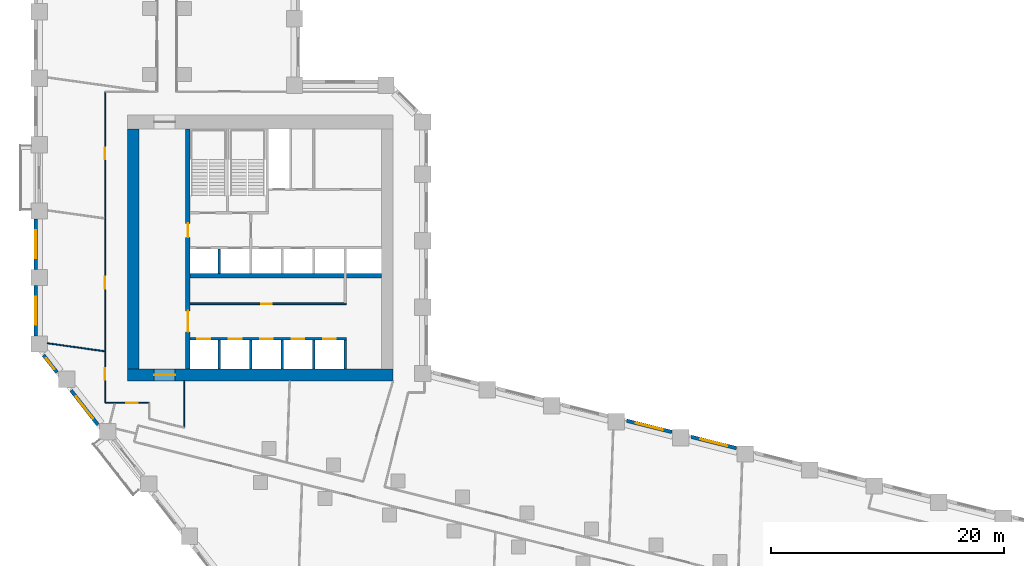
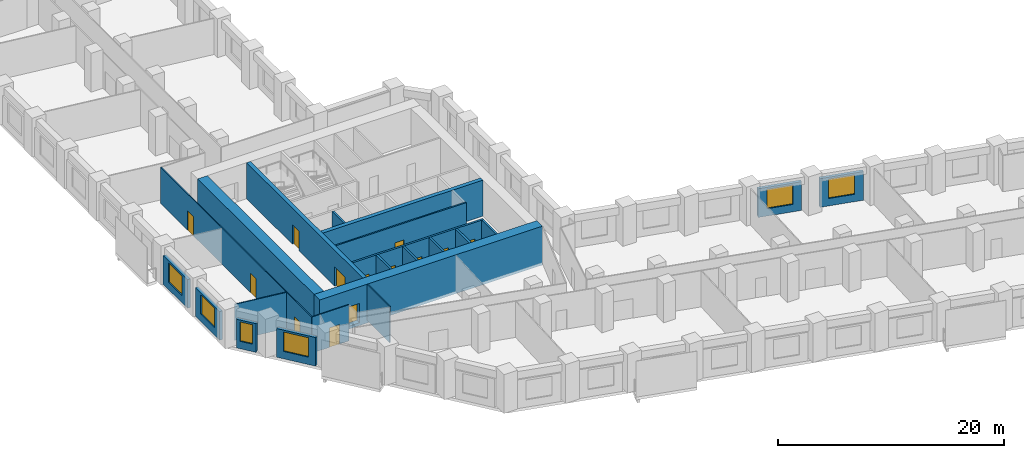
# One storey, part 4 of 11: 22 walls, 13 doors, 6 windows, 19 openings.
"""IFC4 building model written with IfcOpenShell, lengths in metres."""

from ifc_helpers import new_model, si_unit, direction, frame, frame_2d, origin, place, context, subcontext, project, spatial, rectangle, extrude, material, layer, layer_set, type_object, element, fill, save


model = new_model("IFC4")

# Units and contexts
model_context = context("Model", 3, precision=1e-05, world=origin(), true_north=direction((0.0, 1.0)))
body_context = subcontext(model_context, "Body", "Model", "MODEL_VIEW")
ifc_project = project(units=[si_unit("LENGTHUNIT", "METRE"), si_unit("AREAUNIT", "SQUARE_METRE"), si_unit("VOLUMEUNIT", "CUBIC_METRE"), si_unit("PLANEANGLEUNIT", "RADIAN"), si_unit("MASSUNIT", "GRAM", prefix="KILO")], contexts=[model_context])

# Site, building, storey
site_placement = place(None, origin())
site = spatial("IfcSite", under=ifc_project, at=site_placement, CompositionType="ELEMENT")
building_placement = place(site_placement, origin())
building = spatial("IfcBuilding", under=site, at=building_placement, Name="Meshkara Civic Tower", CompositionType="ELEMENT")
storey_placement = place(building_placement, frame((0.0, 0.0, 79.199951171875)))
storey = spatial("IfcBuildingStorey", under=building, at=storey_placement, Name="L17", CompositionType="ELEMENT", Elevation=79.199951171875)

# Wall, opening, door
ifc_material_1 = material(Name="Blockwork", Category="masonry")
ifc_layer_1 = layer(ifc_material_1, 0.14990234375)
ifc_layer_set_1 = layer_set([ifc_layer_1], Name="Core partition 150")
wall_type_1 = type_object("IfcWallType", Name="Core partition 150", PredefinedType="PARTITIONING", material=ifc_layer_set_1)
wall_1_placement = place(storey_placement, frame((13.39990234375, 20.699951171875, 0.0), z_axis=(0.0, 0.0, 1.0), x_axis=(1.0, 0.0, 0.0)))
wall_1 = element("IfcWall", 1, at=wall_1_placement, inside=storey, type_object=wall_type_1, Name="L17-C006", PredefinedType="PARTITIONING", context=body_context, shape_type="SweptSolid", body=[
    extrude(rectangle(XDim=13.400146484375, YDim=0.14990234375, at=frame_2d((6.7001953125, 0.0))), origin(), (0.0, 0.0, 1.0), 3.900146484375),
])
opening_1_placement = place(wall_1_placement, frame((6.10009765625, 0.0, 0.0)))
opening_1 = element("IfcOpeningElement", 2, at=opening_1_placement, cuts=wall_1, Name="Opening L17-K010", PredefinedType="OPENING", context=body_context, shape_type="SweptSolid", body=[
    extrude(rectangle(XDim=0.89990234375, YDim=2.10009765625, at=frame_2d((0.449951171875, 1.050048828125))), frame((0.0, 0.0849609375, 0.0), z_axis=(0.0, -1.0, 0.0), x_axis=(1.0, 0.0, 0.0)), (0.0, 0.0, 1.0), 0.169921875),
])
ifc_material_2 = material(Name="Timber door leaf in steel frame", Category="steel")
door_type_1 = type_object("IfcDoorType", Name="Core room door 900", OperationType="SINGLE_SWING_LEFT", PredefinedType="DOOR", material=ifc_material_2)
door_1_placement = place(opening_1_placement, origin())
door_1 = element("IfcDoor", 3, at=door_1_placement, inside=storey, type_object=door_type_1, Name="L17-K010", OperationType="SINGLE_SWING_RIGHT", OverallHeight=2.10009765625, OverallWidth=0.89990234375, PredefinedType="DOOR", context=body_context, shape_type="SweptSolid", body=[
    extrude(rectangle(XDim=0.89990234375, YDim=2.10009765625, at=frame_2d((0.449951171875, 1.050048828125))), frame((0.0, 0.02490234375, 0.0), z_axis=(0.0, -1.0, 0.0), x_axis=(1.0, 0.0, 0.0)), (0.0, 0.0, 1.0), 0.050048828125),
])
fill(opening_1, door_1)

ifc_material_3 = material(Name="Concrete C80", Category="concrete")
ifc_layer_2 = layer(ifc_material_3, 1.0)
ifc_layer_set_2 = layer_set([ifc_layer_2], Name="Core ring wall 1000 C80")
wall_type_2 = type_object("IfcWallType", Name="Core ring wall 1000 C80", PredefinedType="SHEAR", material=ifc_layer_set_2)
wall_2_placement = place(storey_placement, frame((8.0, 14.60009765625, -0.300048828125), z_axis=(0.0, 0.0, 1.0), x_axis=(1.0, 0.0, 0.0)))
wall_2 = element("IfcWall", 4, at=wall_2_placement, inside=storey, type_object=wall_type_2, Name="L17-C001", PredefinedType="SHEAR", context=body_context, shape_type="SweptSolid", body=[
    extrude(rectangle(XDim=22.800048828125, YDim=1.0, at=frame_2d((11.39990234375, 0.0))), origin(), (0.0, 0.0, 1.0), 4.2001953125),
])
opening_2_placement = place(wall_2_placement, frame((2.300048828125, 0.0, 0.300048828125)))
opening_2 = element("IfcOpeningElement", 5, at=opening_2_placement, cuts=wall_2, Name="Opening L17-K020", PredefinedType="OPENING", context=body_context, shape_type="SweptSolid", body=[
    extrude(rectangle(XDim=1.800048828125, YDim=2.10009765625, at=frame_2d((0.89990234375, 1.050048828125))), frame((0.0, 0.510009765625, 0.0), z_axis=(0.0, -1.0, 0.0), x_axis=(1.0, 0.0, 0.0)), (0.0, 0.0, 1.0), 1.02001953125),
])
ifc_material_4 = material(Name="Fire-rated door leaf in steel frame", Category="steel")
door_type_2 = type_object("IfcDoorType", Name="Core double door 1800 EI 60", OperationType="DOUBLE_DOOR_SINGLE_SWING", PredefinedType="DOOR", material=ifc_material_4)
door_2_placement = place(opening_2_placement, origin())
door_2 = element("IfcDoor", 6, at=door_2_placement, inside=storey, type_object=door_type_2, Name="L17-K020", OperationType="DOUBLE_DOOR_SINGLE_SWING", OverallHeight=2.10009765625, OverallWidth=1.800048828125, PredefinedType="DOOR", context=body_context, shape_type="SweptSolid", body=[
    extrude(rectangle(XDim=1.800048828125, YDim=2.10009765625, at=frame_2d((0.89990234375, 1.050048828125))), frame((0.0, 0.02490234375, 0.0), z_axis=(0.0, -1.0, 0.0), x_axis=(1.0, 0.0, 0.0)), (0.0, 0.0, 1.0), 0.050048828125),
])
fill(opening_2, door_2)

# Walls
wall_3_placement = place(storey_placement, frame((8.5, 15.10009765625, -0.300048828125), z_axis=(0.0, 0.0, 1.0), x_axis=(0.0, 1.0, 0.0)))
element("IfcWall", 7, at=wall_3_placement, inside=storey, type_object=wall_type_2, Name="L17-C003", PredefinedType="SHEAR", context=body_context, shape_type="SweptSolid", body=[
    extrude(rectangle(XDim=20.599853515625, YDim=1.0, at=frame_2d((10.2998046875, 0.0))), origin(), (0.0, 0.0, 1.0), 4.2001953125),
])
ifc_material_5 = material(Name="Concrete C80", Category="concrete")
ifc_layer_3 = layer(ifc_material_5, 0.39990234375)
ifc_layer_set_3 = layer_set([ifc_layer_3], Name="Core shear wall 400 C80")
wall_type_3 = type_object("IfcWallType", Name="Core shear wall 400 C80", PredefinedType="SHEAR", material=ifc_layer_set_3)
wall_4_placement = place(storey_placement, frame((13.39990234375, 23.10009765625, 0.0), z_axis=(0.0, 0.0, 1.0), x_axis=(1.0, 0.0, 0.0)))
element("IfcWall", 8, at=wall_4_placement, inside=storey, type_object=wall_type_3, Name="L17-C007", PredefinedType="SHEAR", context=body_context, shape_type="SweptSolid", body=[
    extrude(rectangle(XDim=16.400146484375, YDim=0.39990234375, at=frame_2d((8.2001953125, 0.0))), origin(), (0.0, 0.0, 1.0), 3.900146484375),
])

# Wall, openings, doors
wall_5_placement = place(storey_placement, frame((13.199951171875, 15.10009765625, 0.0), z_axis=(0.0, 0.0, 1.0), x_axis=(0.0, 1.0, 0.0)))
wall_5 = element("IfcWall", 9, at=wall_5_placement, inside=storey, type_object=wall_type_3, Name="L17-C011", PredefinedType="SHEAR", context=body_context, shape_type="SweptSolid", body=[
    extrude(rectangle(XDim=20.599853515625, YDim=0.39990234375, at=frame_2d((10.2998046875, 0.0))), origin(), (0.0, 0.0, 1.0), 3.900146484375),
])
opening_3_placement = place(wall_5_placement, frame((3.199951171875, 0.0, 0.0)))
opening_3 = element("IfcOpeningElement", 10, at=opening_3_placement, cuts=wall_5, Name="Opening L17-K016", PredefinedType="OPENING", context=body_context, shape_type="SweptSolid", body=[
    extrude(rectangle(XDim=1.800048828125, YDim=2.10009765625, at=frame_2d((0.89990234375, 1.050048828125))), frame((0.0, 0.2099609375, 0.0), z_axis=(0.0, -1.0, 0.0), x_axis=(1.0, 0.0, 0.0)), (0.0, 0.0, 1.0), 0.419921875),
])
opening_4_placement = place(wall_5_placement, frame((11.300048828125, 0.0, 0.0)))
opening_4 = element("IfcOpeningElement", 11, at=opening_4_placement, cuts=wall_5, Name="Opening L17-K017", PredefinedType="OPENING", context=body_context, shape_type="SweptSolid", body=[
    extrude(rectangle(XDim=1.199951171875, YDim=2.10009765625, at=frame_2d((0.60009765625, 1.050048828125))), frame((0.0, 0.2099609375, 0.0), z_axis=(0.0, -1.0, 0.0), x_axis=(1.0, 0.0, 0.0)), (0.0, 0.0, 1.0), 0.419921875),
])
door_3_placement = place(opening_3_placement, origin())
door_3 = element("IfcDoor", 12, at=door_3_placement, inside=storey, type_object=door_type_2, Name="L17-K016", OperationType="DOUBLE_DOOR_SINGLE_SWING", OverallHeight=2.10009765625, OverallWidth=1.800048828125, PredefinedType="DOOR", context=body_context, shape_type="SweptSolid", body=[
    extrude(rectangle(XDim=1.800048828125, YDim=2.10009765625, at=frame_2d((0.89990234375, 1.050048828125))), frame((0.0, 0.02490234375, 0.0), z_axis=(0.0, -1.0, 0.0), x_axis=(1.0, 0.0, 0.0)), (0.0, 0.0, 1.0), 0.050048828125),
])
fill(opening_3, door_3)
ifc_material_6 = material(Name="Fire-rated door leaf in steel frame", Category="steel")
door_type_3 = type_object("IfcDoorType", Name="Fire-fighting lobby door 1200 EI 120", OperationType="SINGLE_SWING_LEFT", PredefinedType="DOOR", material=ifc_material_6)
door_4_placement = place(opening_4_placement, origin())
door_4 = element("IfcDoor", 13, at=door_4_placement, inside=storey, type_object=door_type_3, Name="L17-K017", OperationType="SINGLE_SWING_LEFT", OverallHeight=2.10009765625, OverallWidth=1.199951171875, PredefinedType="DOOR", context=body_context, shape_type="SweptSolid", body=[
    extrude(rectangle(XDim=1.199951171875, YDim=2.10009765625, at=frame_2d((0.60009765625, 1.050048828125))), frame((0.0, 0.02490234375, 0.0), z_axis=(0.0, -1.0, 0.0), x_axis=(1.0, 0.0, 0.0)), (0.0, 0.0, 1.0), 0.050048828125),
])
fill(opening_4, door_4)

ifc_material_7 = material(Name="Corridor wall 100")
ifc_layer_4 = layer(ifc_material_7, 0.10009765625)
ifc_layer_set_4 = layer_set([ifc_layer_4], Name="Corridor wall 100")
wall_type_4 = type_object("IfcWallType", Name="Corridor wall 100", PredefinedType="PARTITIONING", material=ifc_layer_set_4)
wall_6_placement = place(storey_placement, frame((6.10009765625, 12.199951171875, 0.0), z_axis=(0.0, 0.0, 1.0), x_axis=(0.0, 1.0, 0.0)))
wall_6 = element("IfcWall", 14, at=wall_6_placement, inside=storey, type_object=wall_type_4, Name="L17-W004", PredefinedType="PARTITIONING", context=body_context, shape_type="SweptSolid", body=[
    extrude(rectangle(XDim=26.699951171875, YDim=0.10009765625, at=frame_2d((13.35009765625, 0.0))), origin(), (0.0, 0.0, 1.0), 3.900146484375),
])
opening_5_placement = place(wall_6_placement, frame((1.97998046875, 0.0, 0.0)))
opening_5 = element("IfcOpeningElement", 15, at=opening_5_placement, cuts=wall_6, Name="Opening L17-D016", PredefinedType="OPENING", context=body_context, shape_type="SweptSolid", body=[
    extrude(rectangle(XDim=1.0, YDim=2.10009765625, at=frame_2d((0.5, 1.050048828125))), frame((0.0, 0.06005859375, 0.0), z_axis=(0.0, -1.0, 0.0), x_axis=(1.0, 0.0, 0.0)), (0.0, 0.0, 1.0), 0.1201171875),
])
opening_6_placement = place(wall_6_placement, frame((9.802978515625, 0.0, 0.0)))
opening_6 = element("IfcOpeningElement", 16, at=opening_6_placement, cuts=wall_6, Name="Opening L17-D018", PredefinedType="OPENING", context=body_context, shape_type="SweptSolid", body=[
    extrude(rectangle(XDim=1.0, YDim=2.10009765625, at=frame_2d((0.5, 1.050048828125))), frame((0.0, 0.06005859375, 0.0), z_axis=(0.0, -1.0, 0.0), x_axis=(1.0, 0.0, 0.0)), (0.0, 0.0, 1.0), 0.1201171875),
])
opening_7_placement = place(wall_6_placement, frame((20.903076171875, 0.0, 0.0)))
opening_7 = element("IfcOpeningElement", 17, at=opening_7_placement, cuts=wall_6, Name="Opening L17-D019", PredefinedType="OPENING", context=body_context, shape_type="SweptSolid", body=[
    extrude(rectangle(XDim=1.0, YDim=2.10009765625, at=frame_2d((0.5, 1.050048828125))), frame((0.0, 0.06005859375, 0.0), z_axis=(0.0, -1.0, 0.0), x_axis=(1.0, 0.0, 0.0)), (0.0, 0.0, 1.0), 0.1201171875),
])
ifc_material_8 = material(Name="Door 1000 x 2100")
door_type_4 = type_object("IfcDoorType", Name="Door 1000 x 2100", OperationType="SINGLE_SWING_LEFT", PredefinedType="DOOR", material=ifc_material_8)
door_5_placement = place(opening_5_placement, origin())
door_5 = element("IfcDoor", 18, at=door_5_placement, inside=storey, type_object=door_type_4, Name="L17-D016", OperationType="SINGLE_SWING_RIGHT", OverallHeight=2.10009765625, OverallWidth=1.0, PredefinedType="DOOR", context=body_context, shape_type="SweptSolid", body=[
    extrude(rectangle(XDim=1.0, YDim=2.10009765625, at=frame_2d((0.5, 1.050048828125))), frame((0.0, 0.02490234375, 0.0), z_axis=(0.0, -1.0, 0.0), x_axis=(1.0, 0.0, 0.0)), (0.0, 0.0, 1.0), 0.050048828125),
])
fill(opening_5, door_5)
door_6_placement = place(opening_6_placement, origin())
door_6 = element("IfcDoor", 19, at=door_6_placement, inside=storey, type_object=door_type_4, Name="L17-D018", OperationType="SINGLE_SWING_RIGHT", OverallHeight=2.10009765625, OverallWidth=1.0, PredefinedType="DOOR", context=body_context, shape_type="SweptSolid", body=[
    extrude(rectangle(XDim=1.0, YDim=2.10009765625, at=frame_2d((0.5, 1.050048828125))), frame((0.0, 0.02490234375, 0.0), z_axis=(0.0, -1.0, 0.0), x_axis=(1.0, 0.0, 0.0)), (0.0, 0.0, 1.0), 0.050048828125),
])
fill(opening_6, door_6)
door_7_placement = place(opening_7_placement, origin())
door_7 = element("IfcDoor", 20, at=door_7_placement, inside=storey, type_object=door_type_4, Name="L17-D019", OperationType="SINGLE_SWING_RIGHT", OverallHeight=2.10009765625, OverallWidth=1.0, PredefinedType="DOOR", context=body_context, shape_type="SweptSolid", body=[
    extrude(rectangle(XDim=1.0, YDim=2.10009765625, at=frame_2d((0.5, 1.050048828125))), frame((0.0, 0.02490234375, 0.0), z_axis=(0.0, -1.0, 0.0), x_axis=(1.0, 0.0, 0.0)), (0.0, 0.0, 1.0), 0.050048828125),
])
fill(opening_7, door_7)

# Wall, opening, door
wall_7_placement = place(storey_placement, frame((6.10009765625, 12.199951171875, 0.0), z_axis=(0.0, 0.0, 1.0), x_axis=(1.0, 0.0, 0.0)))
wall_7 = element("IfcWall", 21, at=wall_7_placement, inside=storey, type_object=wall_type_4, Name="L17-W005", PredefinedType="PARTITIONING", context=body_context, shape_type="SweptSolid", body=[
    extrude(rectangle(XDim=3.7998046875, YDim=0.10009765625, at=frame_2d((1.89990234375, 0.0))), origin(), (0.0, 0.0, 1.0), 3.900146484375),
])
opening_8_placement = place(wall_7_placement, frame((1.802001953125, 0.0, 0.0)))
opening_8 = element("IfcOpeningElement", 22, at=opening_8_placement, cuts=wall_7, Name="Opening L17-D017", PredefinedType="OPENING", context=body_context, shape_type="SweptSolid", body=[
    extrude(rectangle(XDim=1.0, YDim=2.10009765625, at=frame_2d((0.5, 1.050048828125))), frame((0.0, 0.06005859375, 0.0), z_axis=(0.0, -1.0, 0.0), x_axis=(1.0, 0.0, 0.0)), (0.0, 0.0, 1.0), 0.1201171875),
])
door_8_placement = place(opening_8_placement, origin())
door_8 = element("IfcDoor", 23, at=door_8_placement, inside=storey, type_object=door_type_4, Name="L17-D017", OperationType="SINGLE_SWING_RIGHT", OverallHeight=2.10009765625, OverallWidth=1.0, PredefinedType="DOOR", context=body_context, shape_type="SweptSolid", body=[
    extrude(rectangle(XDim=1.0, YDim=2.10009765625, at=frame_2d((0.5, 1.050048828125))), frame((0.0, 0.02490234375, 0.0), z_axis=(0.0, -1.0, 0.0), x_axis=(1.0, 0.0, 0.0)), (0.0, 0.0, 1.0), 0.050048828125),
])
fill(opening_8, door_8)

# Wall
wall_8_placement = place(storey_placement, frame((12.89990234375, 10.077880859375, 0.0), z_axis=(0.0, 0.0, 1.0), x_axis=(0.0, 1.0, 0.0)))
element("IfcWall", 24, at=wall_8_placement, inside=storey, type_object=wall_type_4, Name="L17-W014", PredefinedType="PARTITIONING", context=body_context, shape_type="SweptSolid", body=[
    extrude(rectangle(XDim=4.022216796875, YDim=0.10009765625, at=frame_2d((2.01123046875, 0.0))), origin(), (0.0, 0.0, 1.0), 3.900146484375),
])

# Wall, opening, window
ifc_material_9 = material(Name="Insulated infill panel with bronze anodised aluminium cladding", Category="aluminium")
ifc_layer_5 = layer(ifc_material_9, 0.300048828125)
ifc_layer_set_5 = layer_set([ifc_layer_5], Name="EXTERNAL INFILL WALL 300")
wall_type_5 = type_object("IfcWallType", Name="EXTERNAL INFILL WALL 300", PredefinedType="SOLIDWALL", material=ifc_layer_set_5)
wall_9_placement = place(storey_placement, frame((60.251953125, 8.321044921875, 0.0), z_axis=(0.0, 0.0, 1.0), x_axis=(-0.970303772127, 0.241889623168, 0.0)))
wall_9 = element("IfcWall", 25, at=wall_9_placement, inside=storey, type_object=wall_type_5, Name="External wall", PredefinedType="SOLIDWALL", context=body_context, shape_type="SweptSolid", body=[
    extrude(rectangle(XDim=4.001953125, YDim=0.300048828125, at=frame_2d((2.0009765625, 0.0))), origin(), (0.0, 0.0, 1.0), 3.10009765625),
])
opening_9_placement = place(wall_9_placement, frame((0.801025390625, 0.0, 0.800048828125)))
opening_9 = element("IfcOpeningElement", 26, at=opening_9_placement, cuts=wall_9, Name="Opening W7", PredefinedType="OPENING", context=body_context, shape_type="SweptSolid", body=[
    extrude(rectangle(XDim=2.39990234375, YDim=2.10009765625, at=frame_2d((1.199951171875, 1.050048828125))), frame((0.0, 0.159912109375, 0.0), z_axis=(0.0, -1.0, 0.0), x_axis=(1.0, 0.0, 0.0)), (0.0, 0.0, 1.0), 0.320068359375),
])
ifc_material_10 = material(Name="Tinted double glazing", Category="glass")
window_type_1 = type_object("IfcWindowType", Name="WINDOW 2400x2100", PartitioningType="DOUBLE_PANEL_VERTICAL", PredefinedType="WINDOW", material=ifc_material_10)
window_1_placement = place(opening_9_placement, origin())
window_1 = element("IfcWindow", 27, at=window_1_placement, inside=storey, type_object=window_type_1, Name="Window", OverallHeight=2.10009765625, OverallWidth=2.39990234375, PartitioningType="DOUBLE_PANEL_VERTICAL", PredefinedType="WINDOW", context=body_context, shape_type="SweptSolid", body=[
    extrude(rectangle(XDim=2.39990234375, YDim=2.10009765625, at=frame_2d((1.199951171875, 1.050048828125))), frame((0.0, 0.030029296875, 0.0), z_axis=(0.0, -1.0, 0.0), x_axis=(1.0, 0.0, 0.0)), (0.0, 0.0, 1.0), 0.06005859375),
])
fill(opening_9, window_1)

wall_10_placement = place(storey_placement, frame((54.721923828125, 9.699951171875, 0.0), z_axis=(0.0, 0.0, 1.0), x_axis=(-0.970318045095, 0.24183236211, 0.0)))
wall_10 = element("IfcWall", 28, at=wall_10_placement, inside=storey, type_object=wall_type_5, Name="External wall", PredefinedType="SOLIDWALL", context=body_context, shape_type="SweptSolid", body=[
    extrude(rectangle(XDim=4.0029296875, YDim=0.300048828125, at=frame_2d((2.00146484375, 0.0))), origin(), (0.0, 0.0, 1.0), 3.10009765625),
])
opening_10_placement = place(wall_10_placement, frame((0.802001953125, 0.0, 0.800048828125)))
opening_10 = element("IfcOpeningElement", 29, at=opening_10_placement, cuts=wall_10, Name="Opening W7", PredefinedType="OPENING", context=body_context, shape_type="SweptSolid", body=[
    extrude(rectangle(XDim=2.39990234375, YDim=2.10009765625, at=frame_2d((1.199951171875, 1.050048828125))), frame((0.0, 0.159912109375, 0.0), z_axis=(0.0, -1.0, 0.0), x_axis=(1.0, 0.0, 0.0)), (0.0, 0.0, 1.0), 0.320068359375),
])
window_2_placement = place(opening_10_placement, origin())
window_2 = element("IfcWindow", 30, at=window_2_placement, inside=storey, type_object=window_type_1, Name="Window", OverallHeight=2.10009765625, OverallWidth=2.39990234375, PartitioningType="DOUBLE_PANEL_VERTICAL", PredefinedType="WINDOW", context=body_context, shape_type="SweptSolid", body=[
    extrude(rectangle(XDim=2.39990234375, YDim=2.10009765625, at=frame_2d((1.199951171875, 1.050048828125))), frame((0.0, 0.030029296875, 0.0), z_axis=(0.0, -1.0, 0.0), x_axis=(1.0, 0.0, 0.0)), (0.0, 0.0, 1.0), 0.06005859375),
])
fill(opening_10, window_2)

wall_11_placement = place(storey_placement, frame((0.14990234375, 27.955078125, 0.0), z_axis=(0.0, 0.0, 1.0), x_axis=(0.0, -1.0, 0.0)))
wall_11 = element("IfcWall", 31, at=wall_11_placement, inside=storey, type_object=wall_type_5, Name="External wall", PredefinedType="SOLIDWALL", context=body_context, shape_type="SweptSolid", body=[
    extrude(rectangle(XDim=4.300048828125, YDim=0.300048828125, at=frame_2d((2.14990234375, 0.0))), origin(), (0.0, 0.0, 1.0), 3.10009765625),
])
opening_11_placement = place(wall_11_placement, frame((0.949951171875, 0.0, 0.800048828125)))
opening_11 = element("IfcOpeningElement", 32, at=opening_11_placement, cuts=wall_11, Name="Opening W7", PredefinedType="OPENING", context=body_context, shape_type="SweptSolid", body=[
    extrude(rectangle(XDim=2.39990234375, YDim=2.10009765625, at=frame_2d((1.199951171875, 1.050048828125))), frame((0.0, 0.159912109375, 0.0), z_axis=(0.0, -1.0, 0.0), x_axis=(1.0, 0.0, 0.0)), (0.0, 0.0, 1.0), 0.320068359375),
])
window_3_placement = place(opening_11_placement, origin())
window_3 = element("IfcWindow", 33, at=window_3_placement, inside=storey, type_object=window_type_1, Name="Window", OverallHeight=2.10009765625, OverallWidth=2.39990234375, PartitioningType="DOUBLE_PANEL_VERTICAL", PredefinedType="WINDOW", context=body_context, shape_type="SweptSolid", body=[
    extrude(rectangle(XDim=2.39990234375, YDim=2.10009765625, at=frame_2d((1.199951171875, 1.050048828125))), frame((0.0, 0.030029296875, 0.0), z_axis=(0.0, -1.0, 0.0), x_axis=(1.0, 0.0, 0.0)), (0.0, 0.0, 1.0), 0.06005859375),
])
fill(opening_11, window_3)

wall_12_placement = place(storey_placement, frame((0.14990234375, 22.2548828125, 0.0), z_axis=(0.0, 0.0, 1.0), x_axis=(0.0, -1.0, 0.0)))
wall_12 = element("IfcWall", 34, at=wall_12_placement, inside=storey, type_object=wall_type_5, Name="External wall", PredefinedType="SOLIDWALL", context=body_context, shape_type="SweptSolid", body=[
    extrude(rectangle(XDim=4.2998046875, YDim=0.300048828125, at=frame_2d((2.14990234375, 0.0))), origin(), (0.0, 0.0, 1.0), 3.10009765625),
])
opening_12_placement = place(wall_12_placement, frame((0.949951171875, 0.0, 0.800048828125)))
opening_12 = element("IfcOpeningElement", 35, at=opening_12_placement, cuts=wall_12, Name="Opening W7", PredefinedType="OPENING", context=body_context, shape_type="SweptSolid", body=[
    extrude(rectangle(XDim=2.39990234375, YDim=2.10009765625, at=frame_2d((1.199951171875, 1.050048828125))), frame((0.0, 0.159912109375, 0.0), z_axis=(0.0, -1.0, 0.0), x_axis=(1.0, 0.0, 0.0)), (0.0, 0.0, 1.0), 0.320068359375),
])
window_4_placement = place(opening_12_placement, origin())
window_4 = element("IfcWindow", 36, at=window_4_placement, inside=storey, type_object=window_type_1, Name="Window", OverallHeight=2.10009765625, OverallWidth=2.39990234375, PartitioningType="DOUBLE_PANEL_VERTICAL", PredefinedType="WINDOW", context=body_context, shape_type="SweptSolid", body=[
    extrude(rectangle(XDim=2.39990234375, YDim=2.10009765625, at=frame_2d((1.199951171875, 1.050048828125))), frame((0.0, 0.030029296875, 0.0), z_axis=(0.0, -1.0, 0.0), x_axis=(1.0, 0.0, 0.0)), (0.0, 0.0, 1.0), 0.06005859375),
])
fill(opening_12, window_4)

wall_13_placement = place(storey_placement, frame((0.818115234375, 16.2958984375, 0.0), z_axis=(0.0, 0.0, 1.0), x_axis=(0.615985155343, -0.787757759973, 0.0)))
wall_13 = element("IfcWall", 37, at=wall_13_placement, inside=storey, type_object=wall_type_5, Name="External wall", PredefinedType="SOLIDWALL", context=body_context, shape_type="SweptSolid", body=[
    extrude(rectangle(XDim=1.874755859375, YDim=0.300048828125, at=frame_2d((0.9375, 0.0))), origin(), (0.0, 0.0, 1.0), 3.10009765625),
])
opening_13_placement = place(wall_13_placement, frame((0.3369140625, 0.0, 0.800048828125)))
opening_13 = element("IfcOpeningElement", 38, at=opening_13_placement, cuts=wall_13, Name="Opening W3", PredefinedType="OPENING", context=body_context, shape_type="SweptSolid", body=[
    extrude(rectangle(XDim=1.199951171875, YDim=2.10009765625, at=frame_2d((0.60009765625, 1.050048828125))), frame((0.0, 0.159912109375, 0.0), z_axis=(0.0, -1.0, 0.0), x_axis=(1.0, 0.0, 0.0)), (0.0, 0.0, 1.0), 0.320068359375),
])
ifc_material_11 = material(Name="Tinted double glazing", Category="glass")
window_type_2 = type_object("IfcWindowType", Name="WINDOW 1200x2100", PartitioningType="SINGLE_PANEL", PredefinedType="WINDOW", material=ifc_material_11)
window_5_placement = place(opening_13_placement, origin())
window_5 = element("IfcWindow", 39, at=window_5_placement, inside=storey, type_object=window_type_2, Name="Window", OverallHeight=2.10009765625, OverallWidth=1.199951171875, PartitioningType="SINGLE_PANEL", PredefinedType="WINDOW", context=body_context, shape_type="SweptSolid", body=[
    extrude(rectangle(XDim=1.199951171875, YDim=2.10009765625, at=frame_2d((0.60009765625, 1.050048828125))), frame((0.0, 0.030029296875, 0.0), z_axis=(0.0, -1.0, 0.0), x_axis=(1.0, 0.0, 0.0)), (0.0, 0.0, 1.0), 0.06005859375),
])
fill(opening_13, window_5)

wall_14_placement = place(storey_placement, frame((3.18310546875, 13.27001953125, 0.0), z_axis=(0.0, 0.0, 1.0), x_axis=(0.615564114897, -0.788086810225, 0.0)))
wall_14 = element("IfcWall", 40, at=wall_14_placement, inside=storey, type_object=wall_type_5, Name="External wall", PredefinedType="SOLIDWALL", context=body_context, shape_type="SweptSolid", body=[
    extrude(rectangle(XDim=3.734619140625, YDim=0.300048828125, at=frame_2d((1.8671875, 0.0))), origin(), (0.0, 0.0, 1.0), 3.10009765625),
])
opening_14_placement = place(wall_14_placement, frame((0.6669921875, 0.0, 0.800048828125)))
opening_14 = element("IfcOpeningElement", 41, at=opening_14_placement, cuts=wall_14, Name="Opening W7", PredefinedType="OPENING", context=body_context, shape_type="SweptSolid", body=[
    extrude(rectangle(XDim=2.39990234375, YDim=2.10009765625, at=frame_2d((1.199951171875, 1.050048828125))), frame((0.0, 0.159912109375, 0.0), z_axis=(0.0, -1.0, 0.0), x_axis=(1.0, 0.0, 0.0)), (0.0, 0.0, 1.0), 0.320068359375),
])
window_6_placement = place(opening_14_placement, origin())
window_6 = element("IfcWindow", 42, at=window_6_placement, inside=storey, type_object=window_type_1, Name="Window", OverallHeight=2.10009765625, OverallWidth=2.39990234375, PartitioningType="DOUBLE_PANEL_VERTICAL", PredefinedType="WINDOW", context=body_context, shape_type="SweptSolid", body=[
    extrude(rectangle(XDim=2.39990234375, YDim=2.10009765625, at=frame_2d((1.199951171875, 1.050048828125))), frame((0.0, 0.030029296875, 0.0), z_axis=(0.0, -1.0, 0.0), x_axis=(1.0, 0.0, 0.0)), (0.0, 0.0, 1.0), 0.06005859375),
])
fill(opening_14, window_6)

# Wall
ifc_material_12 = material(Name="Partition 100")
ifc_layer_6 = layer(ifc_material_12, 0.10009765625)
ifc_layer_set_6 = layer_set([ifc_layer_6], Name="Partition 100")
wall_type_6 = type_object("IfcWallType", Name="Partition 100", PredefinedType="PARTITIONING", material=ifc_layer_set_6)
wall_15_placement = place(storey_placement, frame((6.04296875, 16.631103515625, 0.0), z_axis=(0.0, 0.0, 1.0), x_axis=(-0.990259346599, 0.139235148125, 0.0)))
element("IfcWall", 43, at=wall_15_placement, inside=storey, type_object=wall_type_6, Name="L17-W035", PredefinedType="PARTITIONING", context=body_context, shape_type="SweptSolid", body=[
    extrude(rectangle(XDim=4.941162109375, YDim=0.10009765625, at=frame_2d((2.470703125, 0.0))), origin(), (0.0, 0.0, 1.0), 3.900146484375),
])

# Wall, openings, doors
ifc_material_13 = material(Name="Concrete C40/50", Category="concrete")
ifc_layer_7 = layer(ifc_material_13, 0.199951171875)
ifc_layer_set_7 = layer_set([ifc_layer_7], Name="Shaft wall 200 C40/50")
wall_type_7 = type_object("IfcWallType", Name="Shaft wall 200 C40/50", PredefinedType="SOLIDWALL", material=ifc_layer_set_7)
wall_16_placement = place(storey_placement, frame((13.39990234375, 17.699951171875, 0.0), z_axis=(0.0, 0.0, 1.0), x_axis=(1.0, 0.0, 0.0)))
wall_16 = element("IfcWall", 44, at=wall_16_placement, inside=storey, type_object=wall_type_7, Name="L17-C005", PredefinedType="SOLIDWALL", context=body_context, shape_type="SweptSolid", body=[
    extrude(rectangle(XDim=13.400146484375, YDim=0.199951171875, at=frame_2d((6.7001953125, 0.0))), origin(), (0.0, 0.0, 1.0), 3.900146484375),
])
opening_15_placement = place(wall_16_placement, frame((0.60009765625, 0.0, 0.0)))
opening_15 = element("IfcOpeningElement", 45, at=opening_15_placement, cuts=wall_16, Name="Opening L17-K001", PredefinedType="OPENING", context=body_context, shape_type="SweptSolid", body=[
    extrude(rectangle(XDim=1.10009765625, YDim=2.10009765625, at=frame_2d((0.550048828125, 1.050048828125))), frame((0.0, 0.10986328125, 0.0), z_axis=(0.0, -1.0, 0.0), x_axis=(1.0, 0.0, 0.0)), (0.0, 0.0, 1.0), 0.219970703125),
])
opening_16_placement = place(wall_16_placement, frame((3.300048828125, 0.0, 0.0)))
opening_16 = element("IfcOpeningElement", 46, at=opening_16_placement, cuts=wall_16, Name="Opening L17-K002", PredefinedType="OPENING", context=body_context, shape_type="SweptSolid", body=[
    extrude(rectangle(XDim=1.10009765625, YDim=2.10009765625, at=frame_2d((0.550048828125, 1.050048828125))), frame((0.0, 0.10986328125, 0.0), z_axis=(0.0, -1.0, 0.0), x_axis=(1.0, 0.0, 0.0)), (0.0, 0.0, 1.0), 0.219970703125),
])
opening_17_placement = place(wall_16_placement, frame((6.0, 0.0, 0.0)))
opening_17 = element("IfcOpeningElement", 47, at=opening_17_placement, cuts=wall_16, Name="Opening L17-K003", PredefinedType="OPENING", context=body_context, shape_type="SweptSolid", body=[
    extrude(rectangle(XDim=1.10009765625, YDim=2.10009765625, at=frame_2d((0.550048828125, 1.050048828125))), frame((0.0, 0.10986328125, 0.0), z_axis=(0.0, -1.0, 0.0), x_axis=(1.0, 0.0, 0.0)), (0.0, 0.0, 1.0), 0.219970703125),
])
opening_18_placement = place(wall_16_placement, frame((8.699951171875, 0.0, 0.0)))
opening_18 = element("IfcOpeningElement", 48, at=opening_18_placement, cuts=wall_16, Name="Opening L17-K004", PredefinedType="OPENING", context=body_context, shape_type="SweptSolid", body=[
    extrude(rectangle(XDim=1.10009765625, YDim=2.10009765625, at=frame_2d((0.550048828125, 1.050048828125))), frame((0.0, 0.10986328125, 0.0), z_axis=(0.0, -1.0, 0.0), x_axis=(1.0, 0.0, 0.0)), (0.0, 0.0, 1.0), 0.219970703125),
])
opening_19_placement = place(wall_16_placement, frame((11.39990234375, 0.0, 0.0)))
opening_19 = element("IfcOpeningElement", 49, at=opening_19_placement, cuts=wall_16, Name="Opening L17-K005", PredefinedType="OPENING", context=body_context, shape_type="SweptSolid", body=[
    extrude(rectangle(XDim=1.10009765625, YDim=2.10009765625, at=frame_2d((0.550048828125, 1.050048828125))), frame((0.0, 0.10986328125, 0.0), z_axis=(0.0, -1.0, 0.0), x_axis=(1.0, 0.0, 0.0)), (0.0, 0.0, 1.0), 0.219970703125),
])
ifc_material_14 = material(Name="Stainless steel landing door", Category="steel")
door_type_5 = type_object("IfcDoorType", Name="Lift landing door 1100", OperationType="SLIDING_TO_LEFT", PredefinedType="DOOR", material=ifc_material_14)
door_9_placement = place(opening_15_placement, origin())
door_9 = element("IfcDoor", 50, at=door_9_placement, inside=storey, type_object=door_type_5, Name="L17-K001", OperationType="SLIDING_TO_LEFT", OverallHeight=2.10009765625, OverallWidth=1.10009765625, PredefinedType="DOOR", context=body_context, shape_type="SweptSolid", body=[
    extrude(rectangle(XDim=1.10009765625, YDim=2.10009765625, at=frame_2d((0.550048828125, 1.050048828125))), frame((0.0, 0.02490234375, 0.0), z_axis=(0.0, -1.0, 0.0), x_axis=(1.0, 0.0, 0.0)), (0.0, 0.0, 1.0), 0.050048828125),
])
fill(opening_15, door_9)
door_10_placement = place(opening_16_placement, origin())
door_10 = element("IfcDoor", 51, at=door_10_placement, inside=storey, type_object=door_type_5, Name="L17-K002", OperationType="SLIDING_TO_LEFT", OverallHeight=2.10009765625, OverallWidth=1.10009765625, PredefinedType="DOOR", context=body_context, shape_type="SweptSolid", body=[
    extrude(rectangle(XDim=1.10009765625, YDim=2.10009765625, at=frame_2d((0.550048828125, 1.050048828125))), frame((0.0, 0.02490234375, 0.0), z_axis=(0.0, -1.0, 0.0), x_axis=(1.0, 0.0, 0.0)), (0.0, 0.0, 1.0), 0.050048828125),
])
fill(opening_16, door_10)
door_11_placement = place(opening_17_placement, origin())
door_11 = element("IfcDoor", 52, at=door_11_placement, inside=storey, type_object=door_type_5, Name="L17-K003", OperationType="SLIDING_TO_LEFT", OverallHeight=2.10009765625, OverallWidth=1.10009765625, PredefinedType="DOOR", context=body_context, shape_type="SweptSolid", body=[
    extrude(rectangle(XDim=1.10009765625, YDim=2.10009765625, at=frame_2d((0.550048828125, 1.050048828125))), frame((0.0, 0.02490234375, 0.0), z_axis=(0.0, -1.0, 0.0), x_axis=(1.0, 0.0, 0.0)), (0.0, 0.0, 1.0), 0.050048828125),
])
fill(opening_17, door_11)
door_12_placement = place(opening_18_placement, origin())
door_12 = element("IfcDoor", 53, at=door_12_placement, inside=storey, type_object=door_type_5, Name="L17-K004", OperationType="SLIDING_TO_LEFT", OverallHeight=2.10009765625, OverallWidth=1.10009765625, PredefinedType="DOOR", context=body_context, shape_type="SweptSolid", body=[
    extrude(rectangle(XDim=1.10009765625, YDim=2.10009765625, at=frame_2d((0.550048828125, 1.050048828125))), frame((0.0, 0.02490234375, 0.0), z_axis=(0.0, -1.0, 0.0), x_axis=(1.0, 0.0, 0.0)), (0.0, 0.0, 1.0), 0.050048828125),
])
fill(opening_18, door_12)
door_13_placement = place(opening_19_placement, origin())
door_13 = element("IfcDoor", 54, at=door_13_placement, inside=storey, type_object=door_type_5, Name="L17-K005", OperationType="SLIDING_TO_LEFT", OverallHeight=2.10009765625, OverallWidth=1.10009765625, PredefinedType="DOOR", context=body_context, shape_type="SweptSolid", body=[
    extrude(rectangle(XDim=1.10009765625, YDim=2.10009765625, at=frame_2d((0.550048828125, 1.050048828125))), frame((0.0, 0.02490234375, 0.0), z_axis=(0.0, -1.0, 0.0), x_axis=(1.0, 0.0, 0.0)), (0.0, 0.0, 1.0), 0.050048828125),
])
fill(opening_19, door_13)

# Walls
wall_17_placement = place(storey_placement, frame((15.89990234375, 15.10009765625, 0.0), z_axis=(0.0, 0.0, 1.0), x_axis=(0.0, 1.0, 0.0)))
element("IfcWall", 55, at=wall_17_placement, inside=storey, type_object=wall_type_7, Name="L17-C012", PredefinedType="SOLIDWALL", context=body_context, shape_type="SweptSolid", body=[
    extrude(rectangle(XDim=2.5, YDim=0.199951171875, at=frame_2d((1.25, 0.0))), origin(), (0.0, 0.0, 1.0), 3.900146484375),
])
wall_18_placement = place(storey_placement, frame((15.89990234375, 23.300048828125, 0.0), z_axis=(0.0, 0.0, 1.0), x_axis=(0.0, 1.0, 0.0)))
element("IfcWall", 56, at=wall_18_placement, inside=storey, type_object=wall_type_7, Name="L17-C013", PredefinedType="SOLIDWALL", context=body_context, shape_type="SweptSolid", body=[
    extrude(rectangle(XDim=2.099853515625, YDim=0.199951171875, at=frame_2d((1.0498046875, 0.0))), origin(), (0.0, 0.0, 1.0), 3.900146484375),
])
for number, where, z_axis, x_axis, name in (
    (57, (18.60009765625, 15.10009765625, 0.0), (0.0, 0.0, 1.0), (0.0, 1.0, 0.0), "L17-C015"),
    (58, (21.300048828125, 15.10009765625, 0.0), (0.0, 0.0, 1.0), (0.0, 1.0, 0.0), "L17-C018"),
    (59, (24.0, 15.10009765625, 0.0), (0.0, 0.0, 1.0), (0.0, 1.0, 0.0), "L17-C021"),
    (60, (26.699951171875, 15.10009765625, 0.0), (0.0, 0.0, 1.0), (0.0, 1.0, 0.0), "L17-C024"),
):
    element("IfcWall", number, at=place(storey_placement, frame(where, z_axis=z_axis, x_axis=x_axis)), inside=storey, type_object=wall_type_7, Name=name, PredefinedType="SOLIDWALL", context=body_context, shape_type="SweptSolid", body=[
        extrude(rectangle(XDim=2.5, YDim=0.199951171875, at=frame_2d((1.25, 0.0))), origin(), (0.0, 0.0, 1.0), 3.900146484375),
    ])

save(model, "model.ifc")
